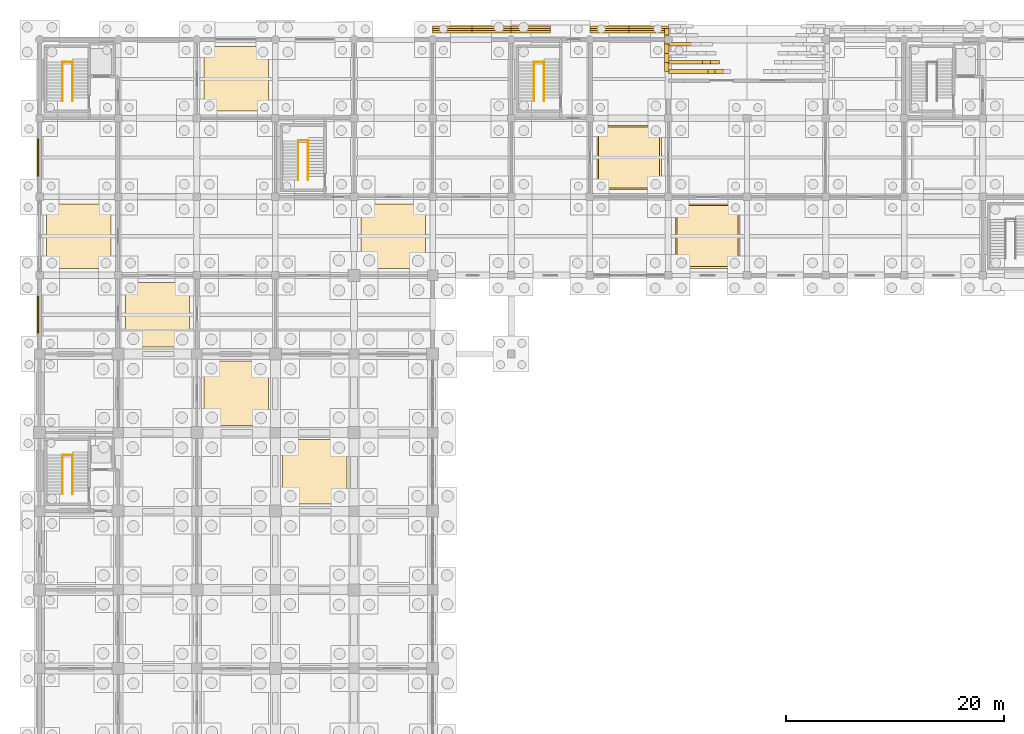
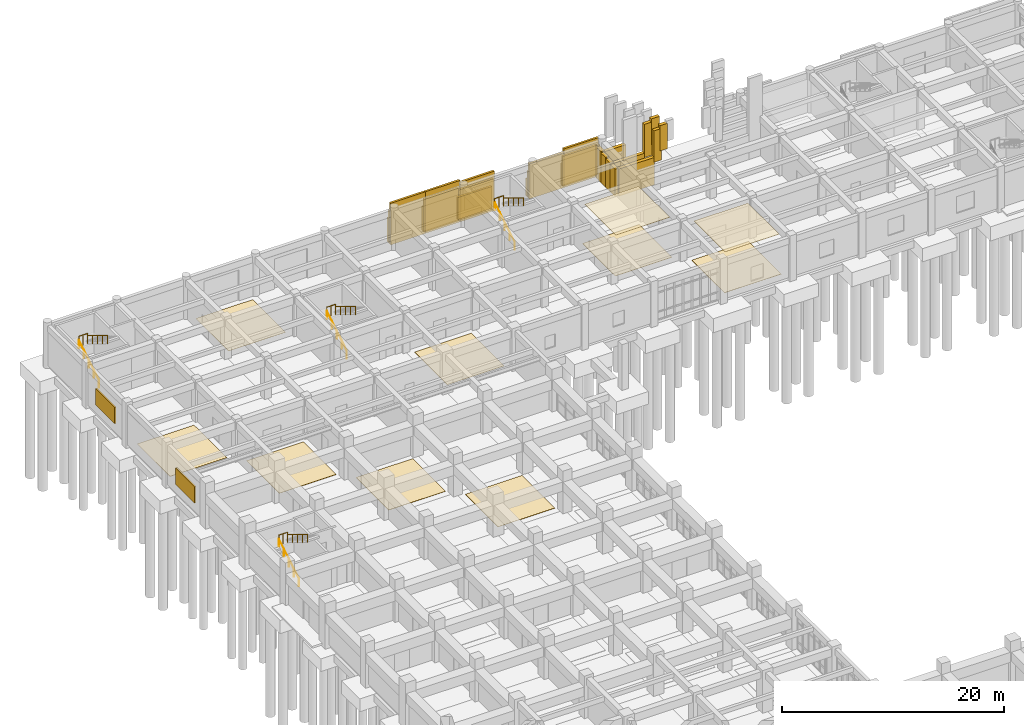
# One storey, part 74 of 79: 39 coverings, 12 railings.
"""IFC4 building model written with IfcOpenShell, lengths in metres."""

from ifc_helpers import new_model, si_unit, direction, frame, origin, origin_2d, place, context, subcontext, project, spatial, polyline, rectangle, circle, outline, extrude, material, layer, layer_set, type_object, element, save


model = new_model("IFC4")

# Units and contexts
model_context = context("Model", 3, precision=1e-05, world=origin(), true_north=direction((0.0, 1.0)))
body_context = subcontext(model_context, "Body", "Model", "MODEL_VIEW")
ifc_project = project(units=[si_unit("LENGTHUNIT", "METRE"), si_unit("AREAUNIT", "SQUARE_METRE"), si_unit("VOLUMEUNIT", "CUBIC_METRE"), si_unit("PLANEANGLEUNIT", "RADIAN"), si_unit("MASSUNIT", "GRAM", prefix="KILO")], contexts=[model_context])

# Site, building, storey
site_placement = place(None, origin())
site = spatial("IfcSite", under=ifc_project, at=site_placement, CompositionType="ELEMENT")
building_placement = place(site_placement, origin())
building = spatial("IfcBuilding", under=site, at=building_placement, Name="Kavelor Marine Aquarium", CompositionType="ELEMENT")
storey_placement = place(building_placement, origin())
storey = spatial("IfcBuildingStorey", under=building, at=storey_placement, Name="L00", CompositionType="ELEMENT", Elevation=0.0)

# Coverings
ifc_material_1 = material(Name="Concrete C45/55", Category="concrete")
ifc_layer_1 = layer(ifc_material_1, 0.300048828125)
ifc_layer_set_1 = layer_set([ifc_layer_1], Name="COV-BND1")
covering_type_1 = type_object("IfcCoveringType", Name="COV-BND1", PredefinedType="CLADDING", material=ifc_layer_set_1)
covering_1_placement = place(storey_placement, origin())
element("IfcCovering", 1, at=covering_1_placement, inside=storey, type_object=covering_type_1, Name="band:north:1:l:00", PredefinedType="CLADDING", context=body_context, shape_type="SweptSolid", body=[
    extrude(outline(polyline([(39.199951171875, 111.820068359375), (42.800048828125, 111.820068359375), (42.800048828125, 112.0400390625), (39.199951171875, 112.0400390625), (39.199951171875, 111.820068359375)])), origin(), (0.0, 0.0, 1.0), 2.64990234375),
])
covering_2_placement = place(storey_placement, origin())
element("IfcCovering", 2, at=covering_2_placement, inside=storey, type_object=covering_type_1, Name="band:north:1:l:01", PredefinedType="CLADDING", context=body_context, shape_type="SweptSolid", body=[
    extrude(outline(polyline([(42.800048828125, 111.820068359375), (46.39990234375, 111.820068359375), (46.39990234375, 112.0400390625), (42.800048828125, 112.0400390625), (42.800048828125, 111.820068359375)])), origin(), (0.0, 0.0, 1.0), 2.64990234375),
])
covering_3_placement = place(storey_placement, origin())
element("IfcCovering", 3, at=covering_3_placement, inside=storey, type_object=covering_type_1, Name="band:north:1:l:02", PredefinedType="CLADDING", context=body_context, shape_type="SweptSolid", body=[
    extrude(outline(polyline([(46.39990234375, 111.820068359375), (50.0, 111.820068359375), (50.0, 112.0400390625), (46.39990234375, 112.0400390625), (46.39990234375, 111.820068359375)])), origin(), (0.0, 0.0, 1.0), 2.4111328125),
])
covering_4_placement = place(storey_placement, origin())
element("IfcCovering", 4, at=covering_4_placement, inside=storey, type_object=covering_type_1, Name="band:north:1:l:04", PredefinedType="CLADDING", context=body_context, shape_type="SweptSolid", body=[
    extrude(outline(polyline([(53.60009765625, 111.820068359375), (57.199951171875, 111.820068359375), (57.199951171875, 112.0400390625), (53.60009765625, 112.0400390625), (53.60009765625, 111.820068359375)])), origin(), (0.0, 0.0, 1.0), 1.927490234375),
])
covering_5_placement = place(storey_placement, origin())
element("IfcCovering", 5, at=covering_5_placement, inside=storey, type_object=covering_type_1, Name="band:north:1:l:05", PredefinedType="CLADDING", context=body_context, shape_type="SweptSolid", body=[
    extrude(outline(polyline([(57.199951171875, 111.820068359375), (60.800048828125, 111.820068359375), (60.800048828125, 112.0400390625), (57.199951171875, 112.0400390625), (57.199951171875, 111.820068359375)])), origin(), (0.0, 0.0, 1.0), 2.32080078125),
])
ifc_material_2 = material(Name="Concrete C45/55", Category="concrete")
ifc_layer_2 = layer(ifc_material_2, 0.320068359375)
ifc_layer_set_2 = layer_set([ifc_layer_2], Name="COV-BND2")
covering_type_2 = type_object("IfcCoveringType", Name="COV-BND2", PredefinedType="CLADDING", material=ifc_layer_set_2)
covering_6_placement = place(storey_placement, origin())
element("IfcCovering", 6, at=covering_6_placement, inside=storey, type_object=covering_type_2, Name="band:north:2:l:00", PredefinedType="CLADDING", context=body_context, shape_type="SweptSolid", body=[
    extrude(outline(polyline([(39.199951171875, 111.610107421875), (42.800048828125, 111.610107421875), (42.800048828125, 111.830078125), (39.199951171875, 111.830078125), (39.199951171875, 111.610107421875)])), origin(), (0.0, 0.0, 1.0), 3.610107421875),
])
covering_7_placement = place(storey_placement, origin())
element("IfcCovering", 7, at=covering_7_placement, inside=storey, type_object=covering_type_2, Name="band:north:2:l:01", PredefinedType="CLADDING", context=body_context, shape_type="SweptSolid", body=[
    extrude(outline(polyline([(42.800048828125, 111.610107421875), (46.39990234375, 111.610107421875), (46.39990234375, 111.830078125), (42.800048828125, 111.830078125), (42.800048828125, 111.610107421875)])), origin(), (0.0, 0.0, 1.0), 3.610107421875),
])
covering_8_placement = place(storey_placement, origin())
element("IfcCovering", 8, at=covering_8_placement, inside=storey, type_object=covering_type_2, Name="band:north:2:l:02", PredefinedType="CLADDING", context=body_context, shape_type="SweptSolid", body=[
    extrude(outline(polyline([(46.39990234375, 111.610107421875), (50.0, 111.610107421875), (50.0, 111.830078125), (46.39990234375, 111.830078125), (46.39990234375, 111.610107421875)])), origin(), (0.0, 0.0, 1.0), 3.37109375),
])
covering_9_placement = place(storey_placement, origin())
element("IfcCovering", 9, at=covering_9_placement, inside=storey, type_object=covering_type_2, Name="band:north:2:l:04", PredefinedType="CLADDING", context=body_context, shape_type="SweptSolid", body=[
    extrude(outline(polyline([(53.60009765625, 111.610107421875), (57.199951171875, 111.610107421875), (57.199951171875, 111.830078125), (53.60009765625, 111.830078125), (53.60009765625, 111.610107421875)])), origin(), (0.0, 0.0, 1.0), 2.8876953125),
])
covering_10_placement = place(storey_placement, origin())
element("IfcCovering", 10, at=covering_10_placement, inside=storey, type_object=covering_type_2, Name="band:north:2:l:05", PredefinedType="CLADDING", context=body_context, shape_type="SweptSolid", body=[
    extrude(outline(polyline([(57.199951171875, 111.610107421875), (60.800048828125, 111.610107421875), (60.800048828125, 111.830078125), (57.199951171875, 111.830078125), (57.199951171875, 111.610107421875)])), origin(), (0.0, 0.0, 1.0), 3.28076171875),
])
covering_11_placement = place(storey_placement, origin())
element("IfcCovering", 11, at=covering_11_placement, inside=storey, type_object=covering_type_2, Name="band:north:2:ret:l", PredefinedType="CLADDING", context=body_context, shape_type="SweptSolid", body=[
    extrude(outline(polyline([(60.4599609375, 111.2099609375), (60.840087890625, 111.2099609375), (60.840087890625, 111.830078125), (60.4599609375, 111.830078125), (60.4599609375, 111.2099609375)])), origin(), (0.0, 0.0, 1.0), 3.56005859375),
])
ifc_material_3 = material(Name="Concrete C45/55", Category="concrete")
ifc_layer_3 = layer(ifc_material_3, 0.340087890625)
ifc_layer_set_3 = layer_set([ifc_layer_3], Name="COV-BND3")
covering_type_3 = type_object("IfcCoveringType", Name="COV-BND3", PredefinedType="CLADDING", material=ifc_layer_set_3)
covering_12_placement = place(storey_placement, origin())
element("IfcCovering", 12, at=covering_12_placement, inside=storey, type_object=covering_type_3, Name="band:north:3:l:00", PredefinedType="CLADDING", context=body_context, shape_type="SweptSolid", body=[
    extrude(outline(polyline([(39.199951171875, 111.39990234375), (42.800048828125, 111.39990234375), (42.800048828125, 111.6201171875), (39.199951171875, 111.6201171875), (39.199951171875, 111.39990234375)])), origin(), (0.0, 0.0, 1.0), 4.570068359375),
])
covering_13_placement = place(storey_placement, origin())
element("IfcCovering", 13, at=covering_13_placement, inside=storey, type_object=covering_type_3, Name="band:north:3:l:01", PredefinedType="CLADDING", context=body_context, shape_type="SweptSolid", body=[
    extrude(outline(polyline([(42.800048828125, 111.39990234375), (46.39990234375, 111.39990234375), (46.39990234375, 111.6201171875), (42.800048828125, 111.6201171875), (42.800048828125, 111.39990234375)])), origin(), (0.0, 0.0, 1.0), 4.570068359375),
])
covering_14_placement = place(storey_placement, origin())
element("IfcCovering", 14, at=covering_14_placement, inside=storey, type_object=covering_type_3, Name="band:north:3:l:02", PredefinedType="CLADDING", context=body_context, shape_type="SweptSolid", body=[
    extrude(outline(polyline([(46.39990234375, 111.39990234375), (50.0, 111.39990234375), (50.0, 111.6201171875), (46.39990234375, 111.6201171875), (46.39990234375, 111.39990234375)])), origin(), (0.0, 0.0, 1.0), 4.3310546875),
])
covering_15_placement = place(storey_placement, origin())
element("IfcCovering", 15, at=covering_15_placement, inside=storey, type_object=covering_type_3, Name="band:north:3:l:04", PredefinedType="CLADDING", context=body_context, shape_type="SweptSolid", body=[
    extrude(outline(polyline([(53.60009765625, 111.39990234375), (57.199951171875, 111.39990234375), (57.199951171875, 111.6201171875), (53.60009765625, 111.6201171875), (53.60009765625, 111.39990234375)])), origin(), (0.0, 0.0, 1.0), 3.84765625),
])
covering_16_placement = place(storey_placement, origin())
element("IfcCovering", 16, at=covering_16_placement, inside=storey, type_object=covering_type_3, Name="band:north:3:l:05", PredefinedType="CLADDING", context=body_context, shape_type="SweptSolid", body=[
    extrude(outline(polyline([(57.199951171875, 111.39990234375), (60.800048828125, 111.39990234375), (60.800048828125, 111.6201171875), (57.199951171875, 111.6201171875), (57.199951171875, 111.39990234375)])), origin(), (0.0, 0.0, 1.0), 4.24072265625),
])
covering_17_placement = place(storey_placement, origin())
element("IfcCovering", 17, at=covering_17_placement, inside=storey, type_object=covering_type_3, Name="band:north:3:ret:l", PredefinedType="CLADDING", context=body_context, shape_type="SweptSolid", body=[
    extrude(outline(polyline([(60.4599609375, 110.3798828125), (60.840087890625, 110.3798828125), (60.840087890625, 111.6201171875), (60.4599609375, 111.6201171875), (60.4599609375, 110.3798828125)])), origin(), (0.0, 0.0, 1.0), 3.419921875),
])
covering_18_placement = place(storey_placement, origin())
element("IfcCovering", 18, at=covering_18_placement, inside=storey, type_object=covering_type_3, Name="arch:north:3:pier:l", PredefinedType="CLADDING", context=body_context, shape_type="SweptSolid", body=[
    extrude(outline(polyline([(60.800048828125, 110.2099609375), (62.93994140625, 110.2099609375), (62.93994140625, 110.550048828125), (60.800048828125, 110.550048828125), (60.800048828125, 110.2099609375)])), origin(), (0.0, 0.0, 1.0), 3.419921875),
])
ifc_material_4 = material(Name="Concrete C45/55", Category="concrete")
ifc_layer_4 = layer(ifc_material_4, 0.360107421875)
ifc_layer_set_4 = layer_set([ifc_layer_4], Name="COV-BND4")
covering_type_4 = type_object("IfcCoveringType", Name="COV-BND4", PredefinedType="CLADDING", material=ifc_layer_set_4)
covering_19_placement = place(storey_placement, origin())
element("IfcCovering", 19, at=covering_19_placement, inside=storey, type_object=covering_type_4, Name="band:north:4:ret:l", PredefinedType="CLADDING", context=body_context, shape_type="SweptSolid", body=[
    extrude(outline(polyline([(60.4599609375, 109.550048828125), (60.840087890625, 109.550048828125), (60.840087890625, 111.409912109375), (60.4599609375, 111.409912109375), (60.4599609375, 109.550048828125)])), origin(), (0.0, 0.0, 1.0), 3.280029296875),
])
ifc_material_5 = material(Name="Concrete C45/55", Category="concrete")
ifc_layer_5 = layer(ifc_material_5, 0.3798828125)
ifc_layer_set_5 = layer_set([ifc_layer_5], Name="COV-BND5")
covering_type_5 = type_object("IfcCoveringType", Name="COV-BND5", PredefinedType="CLADDING", material=ifc_layer_set_5)
covering_20_placement = place(storey_placement, origin())
element("IfcCovering", 20, at=covering_20_placement, inside=storey, type_object=covering_type_5, Name="band:north:5:ret:l", PredefinedType="CLADDING", context=body_context, shape_type="SweptSolid", body=[
    extrude(outline(polyline([(60.4599609375, 108.719970703125), (60.840087890625, 108.719970703125), (60.840087890625, 111.199951171875), (60.4599609375, 111.199951171875), (60.4599609375, 108.719970703125)])), origin(), (0.0, 0.0, 1.0), 3.139892578125),
])
covering_21_placement = place(storey_placement, origin())
element("IfcCovering", 21, at=covering_21_placement, inside=storey, type_object=covering_type_5, Name="arch:north:5:pier:l", PredefinedType="CLADDING", context=body_context, shape_type="SweptSolid", body=[
    extrude(outline(polyline([(60.800048828125, 108.550048828125), (63.97998046875, 108.550048828125), (63.97998046875, 108.889892578125), (60.800048828125, 108.889892578125), (60.800048828125, 108.550048828125)])), origin(), (0.0, 0.0, 1.0), 3.139892578125),
])
covering_22_placement = place(storey_placement, frame((0.0, 0.0, 2.659912109375)))
element("IfcCovering", 22, at=covering_22_placement, inside=storey, type_object=covering_type_5, Name="arch:north:5:seg:00", PredefinedType="CLADDING", context=body_context, shape_type="SweptSolid", body=[
    extrude(outline(polyline([(63.919921875, 108.550048828125), (64.77099609375, 108.550048828125), (64.77099609375, 108.889892578125), (63.919921875, 108.889892578125), (63.919921875, 108.550048828125)])), origin(), (0.0, 0.0, 1.0), 3.649658203125),
])
covering_23_placement = place(storey_placement, frame((0.0, 0.0, 3.808349609375)))
element("IfcCovering", 23, at=covering_23_placement, inside=storey, type_object=covering_type_5, Name="arch:north:5:seg:01", PredefinedType="CLADDING", context=body_context, shape_type="SweptSolid", body=[
    extrude(outline(polyline([(64.65087890625, 108.550048828125), (65.501708984375, 108.550048828125), (65.501708984375, 108.889892578125), (64.65087890625, 108.889892578125), (64.65087890625, 108.550048828125)])), origin(), (0.0, 0.0, 1.0), 2.84326171875),
])
ifc_material_6 = material(Name="Concrete C45/55", Category="concrete")
ifc_layer_6 = layer(ifc_material_6, 0.39990234375)
ifc_layer_set_6 = layer_set([ifc_layer_6], Name="COV-BND6")
covering_type_6 = type_object("IfcCoveringType", Name="COV-BND6", PredefinedType="CLADDING", material=ifc_layer_set_6)
covering_24_placement = place(storey_placement, origin())
element("IfcCovering", 24, at=covering_24_placement, inside=storey, type_object=covering_type_6, Name="band:north:6:ret:l", PredefinedType="CLADDING", context=body_context, shape_type="SweptSolid", body=[
    extrude(outline(polyline([(60.4599609375, 107.889892578125), (60.840087890625, 107.889892578125), (60.840087890625, 110.989990234375), (60.4599609375, 110.989990234375), (60.4599609375, 107.889892578125)])), origin(), (0.0, 0.0, 1.0), 3.0),
])
covering_25_placement = place(storey_placement, origin())
element("IfcCovering", 25, at=covering_25_placement, inside=storey, type_object=covering_type_6, Name="arch:north:6:pier:l", PredefinedType="CLADDING", context=body_context, shape_type="SweptSolid", body=[
    extrude(outline(polyline([(60.800048828125, 107.719970703125), (64.5, 107.719970703125), (64.5, 108.06005859375), (60.800048828125, 108.06005859375), (60.800048828125, 107.719970703125)])), origin(), (0.0, 0.0, 1.0), 3.0),
])
covering_26_placement = place(storey_placement, frame((0.0, 0.0, 2.45751953125)))
element("IfcCovering", 26, at=covering_26_placement, inside=storey, type_object=covering_type_6, Name="arch:north:6:seg:00", PredefinedType="CLADDING", context=body_context, shape_type="SweptSolid", body=[
    extrude(outline(polyline([(64.43994140625, 107.719970703125), (65.1962890625, 107.719970703125), (65.1962890625, 108.06005859375), (64.43994140625, 108.06005859375), (64.43994140625, 107.719970703125)])), origin(), (0.0, 0.0, 1.0), 3.47216796875),
])
covering_27_placement = place(storey_placement, frame((0.0, 0.0, 3.498779296875)))
element("IfcCovering", 27, at=covering_27_placement, inside=storey, type_object=covering_type_6, Name="arch:north:6:seg:01", PredefinedType="CLADDING", context=body_context, shape_type="SweptSolid", body=[
    extrude(outline(polyline([(65.076416015625, 107.719970703125), (65.832763671875, 107.719970703125), (65.832763671875, 108.06005859375), (65.076416015625, 108.06005859375), (65.076416015625, 107.719970703125)])), origin(), (0.0, 0.0, 1.0), 2.77294921875),
])
ifc_material_7 = material(Name="Moisture-Resistant Acoustic Mineral-Fibre Ceiling")
ifc_layer_7 = layer(ifc_material_7, 0.0400390625)
ifc_layer_set_7 = layer_set([ifc_layer_7], Name="COV-CE1")
covering_type_7 = type_object("IfcCoveringType", Name="COV-CE1", PredefinedType="CEILING", material=ifc_layer_set_7)
covering_28_placement = place(storey_placement, frame((0.0, 0.0, 4.340087890625)))
element("IfcCovering", 28, at=covering_28_placement, inside=storey, type_object=covering_type_7, Name="ceil:L00:07_13", PredefinedType="CEILING", context=body_context, shape_type="SweptSolid", body=[
    extrude(outline(polyline([(54.39990234375, 97.199951171875), (60.0, 97.199951171875), (60.0, 102.800048828125), (54.39990234375, 102.800048828125), (54.39990234375, 97.199951171875)])), origin(), (0.0, 0.0, 1.0), 0.039794921875),
])
covering_29_placement = place(storey_placement, frame((0.0, 0.0, 4.340087890625)))
element("IfcCovering", 29, at=covering_29_placement, inside=storey, type_object=covering_type_7, Name="ceil:L00:08_12", PredefinedType="CEILING", context=body_context, shape_type="SweptSolid", body=[
    extrude(outline(polyline([(61.60009765625, 90.0), (67.199951171875, 90.0), (67.199951171875, 95.60009765625), (61.60009765625, 95.60009765625), (61.60009765625, 90.0)])), origin(), (0.0, 0.0, 1.0), 0.039794921875),
])
ifc_material_8 = material(Name="Marine-Grade Perforated Aluminium Acoustic Louvre", Category="aluminium")
ifc_layer_8 = layer(ifc_material_8, 0.1201171875)
ifc_layer_set_8 = layer_set([ifc_layer_8], Name="COV-CL2")
covering_type_8 = type_object("IfcCoveringType", Name="COV-CL2", PredefinedType="CLADDING", material=ifc_layer_set_8)
for number, where, z_axis, x_axis, name in (
    (30, (3.0400390625, 85.60009765625, 1.0), (0.0, 0.0, 1.0), (1.0, 0.0, 0.0), "louvre:w:L00:11"),
    (31, (3.0400390625, 100.0, 1.0), (0.0, 0.0, 1.0), (1.0, 0.0, 0.0), "louvre:w:L00:13"),
):
    element("IfcCovering", number, at=place(storey_placement, frame(where, z_axis=z_axis, x_axis=x_axis)), inside=storey, type_object=covering_type_8, Name=name, PredefinedType="CLADDING", context=body_context, shape_type="SweptSolid", body=[
        extrude(rectangle(XDim=0.159912109375, YDim=3.39990234375, at=origin_2d()), origin(), (0.0, 0.0, 1.0), 1.800048828125),
    ])
ifc_material_9 = material(Name="Polished Coastal Terrazzo Flooring")
ifc_layer_9 = layer(ifc_material_9, 0.030029296875)
ifc_layer_set_9 = layer_set([ifc_layer_9], Name="COV-FL1")
covering_type_9 = type_object("IfcCoveringType", Name="COV-FL1", PredefinedType="FLOORING", material=ifc_layer_set_9)
covering_30_placement = place(storey_placement, origin())
element("IfcCovering", 32, at=covering_30_placement, inside=storey, type_object=covering_type_9, Name="flr:L00:01_11", PredefinedType="FLOORING", context=body_context, shape_type="SweptSolid", body=[
    extrude(outline(polyline([(11.050048828125, 82.64990234375), (16.949951171875, 82.64990234375), (16.949951171875, 88.550048828125), (11.050048828125, 88.550048828125), (11.050048828125, 82.64990234375)])), origin(), (0.0, 0.0, 1.0), 0.030029296875),
])
covering_31_placement = place(storey_placement, origin())
element("IfcCovering", 33, at=covering_31_placement, inside=storey, type_object=covering_type_9, Name="flr:L00:02_10", PredefinedType="FLOORING", context=body_context, shape_type="SweptSolid", body=[
    extrude(outline(polyline([(18.25, 75.449951171875), (24.14990234375, 75.449951171875), (24.14990234375, 81.35009765625), (18.25, 81.35009765625), (18.25, 75.449951171875)])), origin(), (0.0, 0.0, 1.0), 0.030029296875),
])
covering_32_placement = place(storey_placement, origin())
element("IfcCovering", 34, at=covering_32_placement, inside=storey, type_object=covering_type_9, Name="flr:L00:03_09", PredefinedType="FLOORING", context=body_context, shape_type="SweptSolid", body=[
    extrude(outline(polyline([(25.449951171875, 68.25), (31.35009765625, 68.25), (31.35009765625, 74.14990234375), (25.449951171875, 74.14990234375), (25.449951171875, 68.25)])), origin(), (0.0, 0.0, 1.0), 0.030029296875),
])
covering_33_placement = place(storey_placement, origin())
element("IfcCovering", 35, at=covering_33_placement, inside=storey, type_object=covering_type_9, Name="flr:L00:04_12", PredefinedType="FLOORING", context=body_context, shape_type="SweptSolid", body=[
    extrude(outline(polyline([(32.64990234375, 89.85009765625), (38.550048828125, 89.85009765625), (38.550048828125, 95.75), (32.64990234375, 95.75), (32.64990234375, 89.85009765625)])), origin(), (0.0, 0.0, 1.0), 0.030029296875),
])
covering_34_placement = place(storey_placement, origin())
element("IfcCovering", 36, at=covering_34_placement, inside=storey, type_object=covering_type_9, Name="flr:L00:07_13", PredefinedType="FLOORING", context=body_context, shape_type="SweptSolid", body=[
    extrude(outline(polyline([(54.25, 97.050048828125), (60.14990234375, 97.050048828125), (60.14990234375, 102.949951171875), (54.25, 102.949951171875), (54.25, 97.050048828125)])), origin(), (0.0, 0.0, 1.0), 0.030029296875),
])
covering_35_placement = place(storey_placement, origin())
element("IfcCovering", 37, at=covering_35_placement, inside=storey, type_object=covering_type_9, Name="flr:L00:08_12", PredefinedType="FLOORING", context=body_context, shape_type="SweptSolid", body=[
    extrude(outline(polyline([(61.449951171875, 89.85009765625), (67.35009765625, 89.85009765625), (67.35009765625, 95.75), (61.449951171875, 95.75), (61.449951171875, 89.85009765625)])), origin(), (0.0, 0.0, 1.0), 0.030029296875),
])
ifc_material_10 = material(Name="Slip-Resistant Marine Epoxy Husbandry Flooring")
ifc_layer_10 = layer(ifc_material_10, 0.02490234375)
ifc_layer_set_10 = layer_set([ifc_layer_10], Name="COV-FL2")
covering_type_10 = type_object("IfcCoveringType", Name="COV-FL2", PredefinedType="FLOORING", material=ifc_layer_set_10)
covering_36_placement = place(storey_placement, origin())
element("IfcCovering", 38, at=covering_36_placement, inside=storey, type_object=covering_type_10, Name="flr:L00:00_12", PredefinedType="FLOORING", context=body_context, shape_type="SweptSolid", body=[
    extrude(outline(polyline([(3.85009765625, 89.85009765625), (9.75, 89.85009765625), (9.75, 95.75), (3.85009765625, 95.75), (3.85009765625, 89.85009765625)])), origin(), (0.0, 0.0, 1.0), 0.02490234375),
])
covering_37_placement = place(storey_placement, origin())
element("IfcCovering", 39, at=covering_37_placement, inside=storey, type_object=covering_type_10, Name="flr:L00:02_14", PredefinedType="FLOORING", context=body_context, shape_type="SweptSolid", body=[
    extrude(outline(polyline([(18.25, 104.25), (24.14990234375, 104.25), (24.14990234375, 110.14990234375), (18.25, 110.14990234375), (18.25, 104.25)])), origin(), (0.0, 0.0, 1.0), 0.02490234375),
])

# Railings
ifc_material_11 = material(Name="Brushed Stainless Steel Wall and Flight Handrail", Category="steel")
railing_type_1 = type_object("IfcRailingType", Name="RL-HR1", PredefinedType="HANDRAIL", material=ifc_material_11)
railing_1_placement = place(storey_placement, frame((5.2900390625, 105.159912109375, 0.0)))
element("IfcRailing", 40, at=railing_1_placement, inside=storey, type_object=railing_type_1, Name="Stair Handrail ST01-1", PredefinedType="HANDRAIL", context=body_context, shape_type="SweptSolid", body=[
    extrude(circle(Radius=0.02001953125, at=origin_2d()), frame((0.0, 0.0, 0.8798828125), z_axis=(0.0, 0.854554443122, 0.519361823531), x_axis=(-1.0, 0.0, 0.0)), (0.0, 0.0, 1.0), 4.18359375),
    extrude(circle(Radius=0.01806640625, at=origin_2d()), origin(), (0.0, 0.0, 1.0), 0.85986328125),
    extrude(circle(Radius=0.01806640625, at=origin_2d()), frame((0.0, 0.893798828125, 0.543212890625)), (0.0, 0.0, 1.0), 0.85986328125),
    extrude(circle(Radius=0.01806640625, at=origin_2d()), frame((0.0, 1.78759765625, 1.08642578125)), (0.0, 0.0, 1.0), 0.85986328125),
    extrude(circle(Radius=0.01806640625, at=origin_2d()), frame((0.0, 2.681396484375, 1.629638671875)), (0.0, 0.0, 1.0), 0.85986328125),
    extrude(circle(Radius=0.01806640625, at=origin_2d()), frame((0.0, 3.5751953125, 2.1728515625)), (0.0, 0.0, 1.0), 0.85986328125),
])
railing_2_placement = place(storey_placement, frame((6.18994140625, 108.735107421875, 2.340087890625)))
element("IfcRailing", 41, at=railing_2_placement, inside=storey, type_object=railing_type_1, Name="Stair Handrail ST01-2", PredefinedType="HANDRAIL", context=body_context, shape_type="SweptSolid", body=[
    extrude(circle(Radius=0.02001953125, at=origin_2d()), frame((0.0, 0.0, 0.8798828125), z_axis=(0.0, -0.854554443122, 0.519361823531), x_axis=(1.0, 0.0, 0.0)), (0.0, 0.0, 1.0), 4.18359375),
    extrude(circle(Radius=0.01806640625, at=origin_2d()), origin(), (0.0, 0.0, 1.0), 0.85986328125),
    extrude(circle(Radius=0.01806640625, at=origin_2d()), frame((0.0, -0.893798828125, 0.543212890625)), (0.0, 0.0, 1.0), 0.85986328125),
    extrude(circle(Radius=0.01806640625, at=origin_2d()), frame((0.0, -1.78759765625, 1.08642578125)), (0.0, 0.0, 1.0), 0.85986328125),
    extrude(circle(Radius=0.01806640625, at=origin_2d()), frame((0.0, -2.681396484375, 1.629638671875)), (0.0, 0.0, 1.0), 0.85986328125),
    extrude(circle(Radius=0.01806640625, at=origin_2d()), frame((0.0, -3.5751953125, 2.1728515625)), (0.0, 0.0, 1.0), 0.85986328125),
])
railing_3_placement = place(storey_placement, frame((26.889892578125, 97.9599609375, 0.0)))
element("IfcRailing", 42, at=railing_3_placement, inside=storey, type_object=railing_type_1, Name="Stair Handrail ST02-1", PredefinedType="HANDRAIL", context=body_context, shape_type="SweptSolid", body=[
    extrude(circle(Radius=0.02001953125, at=origin_2d()), frame((0.0, 0.0, 0.8798828125), z_axis=(0.0, 0.854538701388, 0.519387723988), x_axis=(-1.0, 0.0, 0.0)), (0.0, 0.0, 1.0), 4.18359375),
    extrude(circle(Radius=0.01806640625, at=origin_2d()), origin(), (0.0, 0.0, 1.0), 0.85986328125),
    extrude(circle(Radius=0.01806640625, at=origin_2d()), frame((0.0, 0.893798828125, 0.543212890625)), (0.0, 0.0, 1.0), 0.85986328125),
    extrude(circle(Radius=0.01806640625, at=origin_2d()), frame((0.0, 1.78759765625, 1.08642578125)), (0.0, 0.0, 1.0), 0.85986328125),
    extrude(circle(Radius=0.01806640625, at=origin_2d()), frame((0.0, 2.68115234375, 1.629638671875)), (0.0, 0.0, 1.0), 0.85986328125),
    extrude(circle(Radius=0.01806640625, at=origin_2d()), frame((0.0, 3.574951171875, 2.1728515625)), (0.0, 0.0, 1.0), 0.85986328125),
])
railing_4_placement = place(storey_placement, frame((27.7900390625, 101.534912109375, 2.340087890625)))
element("IfcRailing", 43, at=railing_4_placement, inside=storey, type_object=railing_type_1, Name="Stair Handrail ST02-2", PredefinedType="HANDRAIL", context=body_context, shape_type="SweptSolid", body=[
    extrude(circle(Radius=0.02001953125, at=origin_2d()), frame((0.0, 0.0, 0.8798828125), z_axis=(0.0, -0.854538701388, 0.519387723988), x_axis=(1.0, 0.0, 0.0)), (0.0, 0.0, 1.0), 4.18359375),
    extrude(circle(Radius=0.01806640625, at=origin_2d()), origin(), (0.0, 0.0, 1.0), 0.85986328125),
    extrude(circle(Radius=0.01806640625, at=origin_2d()), frame((0.0, -0.893798828125, 0.543212890625)), (0.0, 0.0, 1.0), 0.85986328125),
    extrude(circle(Radius=0.01806640625, at=origin_2d()), frame((0.0, -1.78759765625, 1.08642578125)), (0.0, 0.0, 1.0), 0.85986328125),
    extrude(circle(Radius=0.01806640625, at=origin_2d()), frame((0.0, -2.68115234375, 1.629638671875)), (0.0, 0.0, 1.0), 0.85986328125),
    extrude(circle(Radius=0.01806640625, at=origin_2d()), frame((0.0, -3.574951171875, 2.1728515625)), (0.0, 0.0, 1.0), 0.85986328125),
])
railing_5_placement = place(storey_placement, frame((5.2900390625, 69.159912109375, 0.0)))
element("IfcRailing", 44, at=railing_5_placement, inside=storey, type_object=railing_type_1, Name="Stair Handrail ST03-1", PredefinedType="HANDRAIL", context=body_context, shape_type="SweptSolid", body=[
    extrude(circle(Radius=0.02001953125, at=origin_2d()), frame((0.0, 0.0, 0.8798828125), z_axis=(0.0, 0.854554443122, 0.519361823531), x_axis=(-1.0, 0.0, 0.0)), (0.0, 0.0, 1.0), 4.18359375),
    extrude(circle(Radius=0.01806640625, at=origin_2d()), origin(), (0.0, 0.0, 1.0), 0.85986328125),
    extrude(circle(Radius=0.01806640625, at=origin_2d()), frame((0.0, 0.893798828125, 0.543212890625)), (0.0, 0.0, 1.0), 0.85986328125),
    extrude(circle(Radius=0.01806640625, at=origin_2d()), frame((0.0, 1.78759765625, 1.08642578125)), (0.0, 0.0, 1.0), 0.85986328125),
    extrude(circle(Radius=0.01806640625, at=origin_2d()), frame((0.0, 2.681396484375, 1.629638671875)), (0.0, 0.0, 1.0), 0.85986328125),
    extrude(circle(Radius=0.01806640625, at=origin_2d()), frame((0.0, 3.5751953125, 2.1728515625)), (0.0, 0.0, 1.0), 0.85986328125),
])
railing_6_placement = place(storey_placement, frame((6.18994140625, 72.735107421875, 2.340087890625)))
element("IfcRailing", 45, at=railing_6_placement, inside=storey, type_object=railing_type_1, Name="Stair Handrail ST03-2", PredefinedType="HANDRAIL", context=body_context, shape_type="SweptSolid", body=[
    extrude(circle(Radius=0.02001953125, at=origin_2d()), frame((0.0, 0.0, 0.8798828125), z_axis=(0.0, -0.854554443122, 0.519361823531), x_axis=(1.0, 0.0, 0.0)), (0.0, 0.0, 1.0), 4.18359375),
    extrude(circle(Radius=0.01806640625, at=origin_2d()), origin(), (0.0, 0.0, 1.0), 0.85986328125),
    extrude(circle(Radius=0.01806640625, at=origin_2d()), frame((0.0, -0.893798828125, 0.543212890625)), (0.0, 0.0, 1.0), 0.85986328125),
    extrude(circle(Radius=0.01806640625, at=origin_2d()), frame((0.0, -1.78759765625, 1.08642578125)), (0.0, 0.0, 1.0), 0.85986328125),
    extrude(circle(Radius=0.01806640625, at=origin_2d()), frame((0.0, -2.681396484375, 1.629638671875)), (0.0, 0.0, 1.0), 0.85986328125),
    extrude(circle(Radius=0.01806640625, at=origin_2d()), frame((0.0, -3.5751953125, 2.1728515625)), (0.0, 0.0, 1.0), 0.85986328125),
])
railing_7_placement = place(storey_placement, frame((48.489990234375, 105.159912109375, 0.0)))
element("IfcRailing", 46, at=railing_7_placement, inside=storey, type_object=railing_type_1, Name="Stair Handrail ST05-1", PredefinedType="HANDRAIL", context=body_context, shape_type="SweptSolid", body=[
    extrude(circle(Radius=0.02001953125, at=origin_2d()), frame((0.0, 0.0, 0.8798828125), z_axis=(0.0, 0.854554443122, 0.519361823531), x_axis=(-1.0, 0.0, 0.0)), (0.0, 0.0, 1.0), 4.18359375),
    extrude(circle(Radius=0.01806640625, at=origin_2d()), origin(), (0.0, 0.0, 1.0), 0.85986328125),
    extrude(circle(Radius=0.01806640625, at=origin_2d()), frame((0.0, 0.893798828125, 0.543212890625)), (0.0, 0.0, 1.0), 0.85986328125),
    extrude(circle(Radius=0.01806640625, at=origin_2d()), frame((0.0, 1.78759765625, 1.08642578125)), (0.0, 0.0, 1.0), 0.85986328125),
    extrude(circle(Radius=0.01806640625, at=origin_2d()), frame((0.0, 2.681396484375, 1.629638671875)), (0.0, 0.0, 1.0), 0.85986328125),
    extrude(circle(Radius=0.01806640625, at=origin_2d()), frame((0.0, 3.5751953125, 2.1728515625)), (0.0, 0.0, 1.0), 0.85986328125),
])
railing_8_placement = place(storey_placement, frame((49.389892578125, 108.735107421875, 2.340087890625)))
element("IfcRailing", 47, at=railing_8_placement, inside=storey, type_object=railing_type_1, Name="Stair Handrail ST05-2", PredefinedType="HANDRAIL", context=body_context, shape_type="SweptSolid", body=[
    extrude(circle(Radius=0.02001953125, at=origin_2d()), frame((0.0, 0.0, 0.8798828125), z_axis=(0.0, -0.854554443122, 0.519361823531), x_axis=(1.0, 0.0, 0.0)), (0.0, 0.0, 1.0), 4.18359375),
    extrude(circle(Radius=0.01806640625, at=origin_2d()), origin(), (0.0, 0.0, 1.0), 0.85986328125),
    extrude(circle(Radius=0.01806640625, at=origin_2d()), frame((0.0, -0.893798828125, 0.543212890625)), (0.0, 0.0, 1.0), 0.85986328125),
    extrude(circle(Radius=0.01806640625, at=origin_2d()), frame((0.0, -1.78759765625, 1.08642578125)), (0.0, 0.0, 1.0), 0.85986328125),
    extrude(circle(Radius=0.01806640625, at=origin_2d()), frame((0.0, -2.681396484375, 1.629638671875)), (0.0, 0.0, 1.0), 0.85986328125),
    extrude(circle(Radius=0.01806640625, at=origin_2d()), frame((0.0, -3.5751953125, 2.1728515625)), (0.0, 0.0, 1.0), 0.85986328125),
])
ifc_material_12 = material(Name="Brushed Stainless Steel Stair Guardrail", Category="steel")
railing_type_2 = type_object("IfcRailingType", Name="RL-SG1", PredefinedType="GUARDRAIL", material=ifc_material_12)
railing_9_placement = place(storey_placement, frame((5.2900390625, 108.764892578125, 2.340087890625)))
element("IfcRailing", 48, at=railing_9_placement, inside=storey, type_object=railing_type_2, Name="Landing Guardrail ST01-M", PredefinedType="GUARDRAIL", context=body_context, shape_type="SweptSolid", body=[
    extrude(circle(Radius=0.0224609375, at=origin_2d()), frame((0.0, 0.0, 1.09765625), z_axis=(1.0, 0.0, 0.0), x_axis=(0.0, 1.0, 0.0)), (0.0, 0.0, 1.0), 0.89990234375),
    extrude(circle(Radius=0.02099609375, at=origin_2d()), origin(), (0.0, 0.0, 1.0), 1.0751953125),
    extrude(circle(Radius=0.02099609375, at=origin_2d()), frame((0.449951171875, 0.0, 0.0)), (0.0, 0.0, 1.0), 1.0751953125),
    extrude(circle(Radius=0.02099609375, at=origin_2d()), frame((0.89990234375, 0.0, 0.0)), (0.0, 0.0, 1.0), 1.0751953125),
])
railing_10_placement = place(storey_placement, frame((26.889892578125, 101.56494140625, 2.340087890625)))
element("IfcRailing", 49, at=railing_10_placement, inside=storey, type_object=railing_type_2, Name="Landing Guardrail ST02-M", PredefinedType="GUARDRAIL", context=body_context, shape_type="SweptSolid", body=[
    extrude(circle(Radius=0.0224609375, at=origin_2d()), frame((0.0, 0.0, 1.09765625), z_axis=(1.0, 0.0, 0.0), x_axis=(0.0, 1.0, 0.0)), (0.0, 0.0, 1.0), 0.900146484375),
    extrude(circle(Radius=0.02099609375, at=origin_2d()), origin(), (0.0, 0.0, 1.0), 1.0751953125),
    extrude(circle(Radius=0.02099609375, at=origin_2d()), frame((0.4501953125, 0.0, 0.0)), (0.0, 0.0, 1.0), 1.0751953125),
    extrude(circle(Radius=0.02099609375, at=origin_2d()), frame((0.900146484375, 0.0, 0.0)), (0.0, 0.0, 1.0), 1.0751953125),
])
for number, where, name in (
    (50, (5.2900390625, 72.764892578125, 2.340087890625), "Landing Guardrail ST03-M"),
    (51, (48.489990234375, 108.764892578125, 2.340087890625), "Landing Guardrail ST05-M"),
):
    element("IfcRailing", number, at=place(storey_placement, frame(where)), inside=storey, type_object=railing_type_2, Name=name, PredefinedType="GUARDRAIL", context=body_context, shape_type="SweptSolid", body=[
        extrude(circle(Radius=0.0224609375, at=origin_2d()), frame((0.0, 0.0, 1.09765625), z_axis=(1.0, 0.0, 0.0), x_axis=(0.0, 1.0, 0.0)), (0.0, 0.0, 1.0), 0.89990234375),
        extrude(circle(Radius=0.02099609375, at=origin_2d()), origin(), (0.0, 0.0, 1.0), 1.0751953125),
        extrude(circle(Radius=0.02099609375, at=origin_2d()), frame((0.449951171875, 0.0, 0.0)), (0.0, 0.0, 1.0), 1.0751953125),
        extrude(circle(Radius=0.02099609375, at=origin_2d()), frame((0.89990234375, 0.0, 0.0)), (0.0, 0.0, 1.0), 1.0751953125),
    ])

save(model, "model.ifc")
